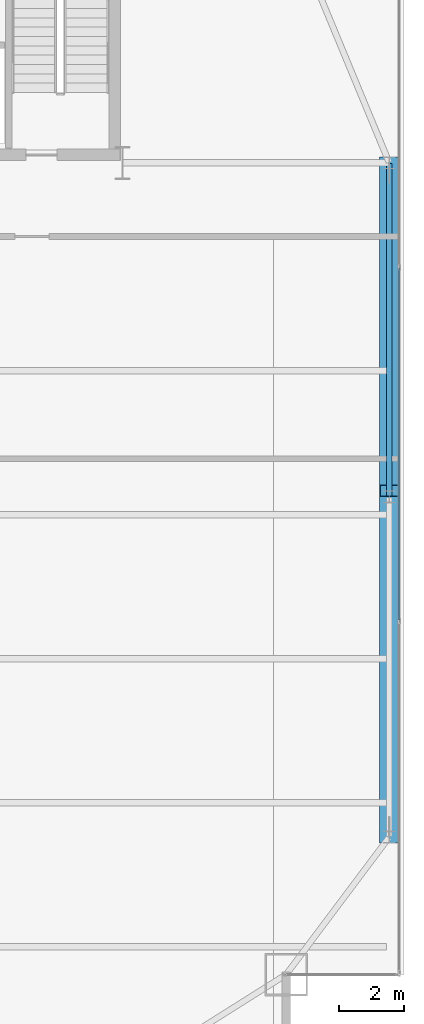
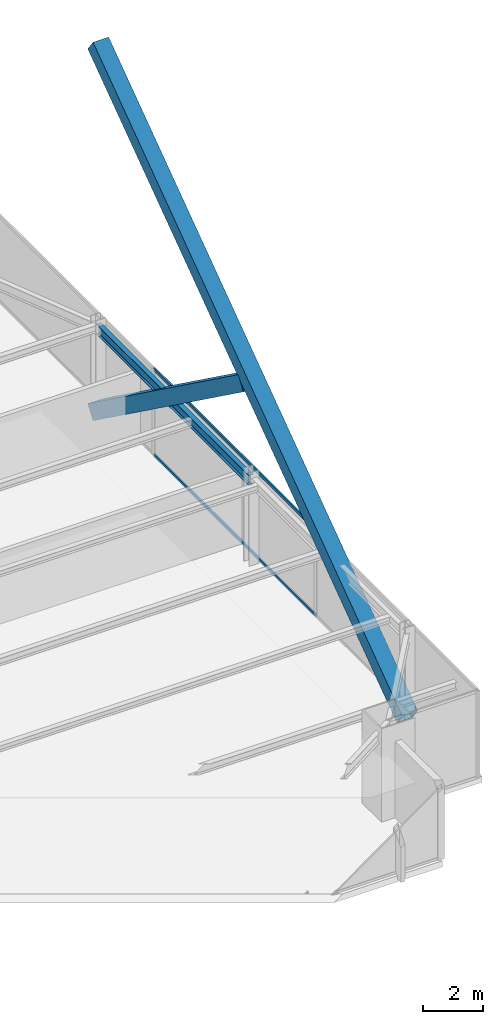
# One storey, part 19 of 34: 4 members, 1 beam, 1 element without a shape of its own.
"""IFC4 building model written with IfcOpenShell, lengths in metres."""

from ifc_helpers import new_model, si_unit, direction, frame, origin, origin_2d, place, context, subcontext, project, spatial, hollow_rectangle, i_section, extrude, source, transform, mapped, material, layer, layer_set, material_profile, profile_set, type_object, type_shapes, element, aggregate, save


model = new_model("IFC4")

# Units and contexts
model_context = context("Model", 3, precision=1e-05, world=origin(), true_north=direction((0.0, 1.0)))
body_context = subcontext(model_context, "Body", "Model", "MODEL_VIEW")
ifc_project = project(units=[si_unit("LENGTHUNIT", "METRE"), si_unit("AREAUNIT", "SQUARE_METRE"), si_unit("VOLUMEUNIT", "CUBIC_METRE"), si_unit("PLANEANGLEUNIT", "RADIAN"), si_unit("MASSUNIT", "GRAM", prefix="KILO")], contexts=[model_context])

# Site, building, storey
site_placement = place(None, origin())
site = spatial("IfcSite", under=ifc_project, at=site_placement, CompositionType="ELEMENT")
building_placement = place(site_placement, origin())
building = spatial("IfcBuilding", under=site, at=building_placement, Name="Varnel Quay Broadcast Tower", CompositionType="ELEMENT")
storey_placement = place(building_placement, frame((0.0, 0.0, 161.0)))
storey = spatial("IfcBuildingStorey", under=building, at=storey_placement, Name="L39", CompositionType="ELEMENT", Elevation=161.0)

# Beam
ifc_material_1 = material(Name="Structural Steel CSA G40.21 350W", Category="steel")
ifc_material_profile_1 = material_profile(ifc_material_1, i_section(OverallWidth=0.180908203125, OverallDepth=0.4169921875, WebThickness=0.010986328125, FlangeThickness=0.018310546875, FilletRadius=0.011962890625, at=origin_2d()), Name="W410X85")
ifc_profile_set_1 = profile_set([ifc_material_profile_1], Name="Structural Steel CSA G40.21 350W")
beam_type = type_object("IfcBeamType", Name="Beam_W410X85", PredefinedType="SPANDREL", material=ifc_profile_set_1)
shared_shape_1 = source(origin(), body_context, "Body", "SweptSolid", [
    extrude(i_section(OverallWidth=0.180908203125, OverallDepth=0.4169921875, WebThickness=0.010986328125, FlangeThickness=0.018310546875, FilletRadius=0.011962890625, at=origin_2d()), origin(), (0.0, 0.0, 1.0), 10.16015625),
])
type_shapes(beam_type, [shared_shape_1])
beam_placement = place(storey_placement, frame((60.550048828125, 25.419921875, 3.341552734375), z_axis=(0.0, 1.0, 0.0), x_axis=(-1.0, 0.0, 0.0)))
element("IfcBeam", 1, at=beam_placement, inside=storey, type_object=beam_type, Name="L39 East Spandrel TC-E2-TC-E3", PredefinedType="SPANDREL", context=body_context, shape_type="MappedRepresentation", body=[
    mapped(shared_shape_1, transform((0.0, 0.0, 0.0), x_axis=(1.0, 0.0, 0.0), y_axis=(0.0, 1.0, 0.0), z_axis=(0.0, 0.0, 1.0), scale=1.0)),
])

# Members
ifc_material_2 = material(Name="Structural Steel CSA G40.21 350WT", Category="steel")
ifc_material_profile_2 = material_profile(ifc_material_2, hollow_rectangle(XDim=0.60009765625, YDim=0.60009765625, WallThickness=0.028076171875, at=origin_2d()), Name="BOX600X600X28")
ifc_profile_set_2 = profile_set([ifc_material_profile_2], Name="Structural Steel CSA G40.21 350WT")
member_type_1 = type_object("IfcMemberType", Name="Brace_BOX600X600X28", PredefinedType="BRACE", material=ifc_profile_set_2)
shared_shape_2 = source(origin(), body_context, "Body", "SweptSolid", [
    extrude(hollow_rectangle(XDim=0.60009765625, YDim=0.60009765625, WallThickness=0.028076171875, at=origin_2d()), origin(), (0.0, 0.0, 1.0), 25.4296875),
])
member_1_placement = place(storey_placement, frame((60.550048828125, 15.0, 0.02001953125), z_axis=(0.0, 0.810080334362, 0.586318899474), x_axis=(-1.0, 0.0, 0.0)))
element("IfcMember", 2, at=member_1_placement, inside=storey, type_object=member_type_1, Name="Zone 3 Mega-Brace E-FT2 Continuous Diag A", PredefinedType="BRACE", context=body_context, shape_type="MappedRepresentation", body=[
    mapped(shared_shape_2, transform((0.0, 0.0, 0.0), x_axis=(1.0, 0.0, 0.0), y_axis=(0.0, 1.0, 0.0), z_axis=(0.0, 0.0, 1.0), scale=1.0)),
])
shared_shape_3 = source(origin(), body_context, "Body", "SweptSolid", [
    extrude(hollow_rectangle(XDim=0.60009765625, YDim=0.60009765625, WallThickness=0.028076171875, at=origin_2d()), origin(), (0.0, 0.0, 1.0), 12.3740234375),
])
type_shapes(member_type_1, [shared_shape_2, shared_shape_3])
member_2_placement = place(storey_placement, frame((60.550048828125, 35.60009765625, 0.02001953125), z_axis=(0.0, -0.810079456088, 0.586320112928), x_axis=(1.0, 0.0, 0.0)))
element("IfcMember", 3, at=member_2_placement, inside=storey, type_object=member_type_1, Name="Zone 3 Mega-Brace E-FT2 Split Diag B1", PredefinedType="BRACE", context=body_context, shape_type="MappedRepresentation", body=[
    mapped(shared_shape_3, transform((0.0, 0.0, 0.0), x_axis=(1.0, 0.0, 0.0), y_axis=(0.0, 1.0, 0.0), z_axis=(0.0, 0.0, 1.0), scale=1.0)),
])

# Curtain wall, members
ifc_material_3 = material(Name="Anodised Bronze Aluminium 6063-T6", Category="aluminium")
ifc_layer = layer(ifc_material_3, 0.18994140625, Name="Anodised Bronze Aluminium 6063-T6")
ifc_layer_set = layer_set([ifc_layer], Name="Anodised Bronze Aluminium 6063-T6")
curtain_wall_type = type_object("IfcCurtainWallType", Name="CW_UpperTower", PredefinedType="NOTDEFINED", material=ifc_layer_set)
curtain_wall_placement = place(storey_placement, origin())
curtain_wall = element("IfcCurtainWall", 4, at=curtain_wall_placement, inside=storey, type_object=curtain_wall_type, Name="L39 East Unitised Curtain Wall", PredefinedType="NOTDEFINED")
ifc_material_profile_3 = material_profile(ifc_material_3, hollow_rectangle(XDim=0.06005859375, YDim=0.125, WallThickness=0.0029296875, at=origin_2d()), Name="ALU60X125X3")
ifc_profile_set_3 = profile_set([ifc_material_profile_3], Name="Anodised Bronze Aluminium 6063-T6")
member_type_2 = type_object("IfcMemberType", Name="Tran_CWS-03", PredefinedType="USERDEFINED", material=ifc_profile_set_3)
shared_shape_4 = source(origin(), body_context, "Body", "SweptSolid", [
    extrude(hollow_rectangle(XDim=0.06005859375, YDim=0.125, WallThickness=0.0029296875, at=origin_2d()), origin(), (0.0, 0.0, 1.0), 10.73486328125),
])
type_shapes(member_type_2, [shared_shape_4])
member_3_placement = place(storey_placement, frame((60.85009765625, 21.632568359375, 0.030029296875), z_axis=(0.0, 1.0, 0.0), x_axis=(-1.0, 0.0, 0.0)))
member_3 = element("IfcMember", 5, at=member_3_placement, type_object=member_type_2, Name="CWS-03 transom 2.1", ObjectType="TRANSOM", PredefinedType="USERDEFINED", context=body_context, shape_type="MappedRepresentation", body=[
    mapped(shared_shape_4, transform((0.0, 0.0, 0.0), x_axis=(1.0, 0.0, 0.0), y_axis=(0.0, 1.0, 0.0), z_axis=(0.0, 0.0, 1.0), scale=1.0)),
])
member_4_placement = place(storey_placement, frame((60.85009765625, 21.632568359375, 3.52001953125), z_axis=(0.0, 1.0, 0.0), x_axis=(-1.0, 0.0, 0.0)))
member_4 = element("IfcMember", 6, at=member_4_placement, type_object=member_type_2, Name="CWS-03 transom 2.2", ObjectType="TRANSOM", PredefinedType="USERDEFINED", context=body_context, shape_type="MappedRepresentation", body=[
    mapped(shared_shape_4, transform((0.0, 0.0, 0.0), x_axis=(1.0, 0.0, 0.0), y_axis=(0.0, 1.0, 0.0), z_axis=(0.0, 0.0, 1.0), scale=1.0)),
])
aggregate(curtain_wall, [member_3, member_4])

save(model, "model.ifc")
